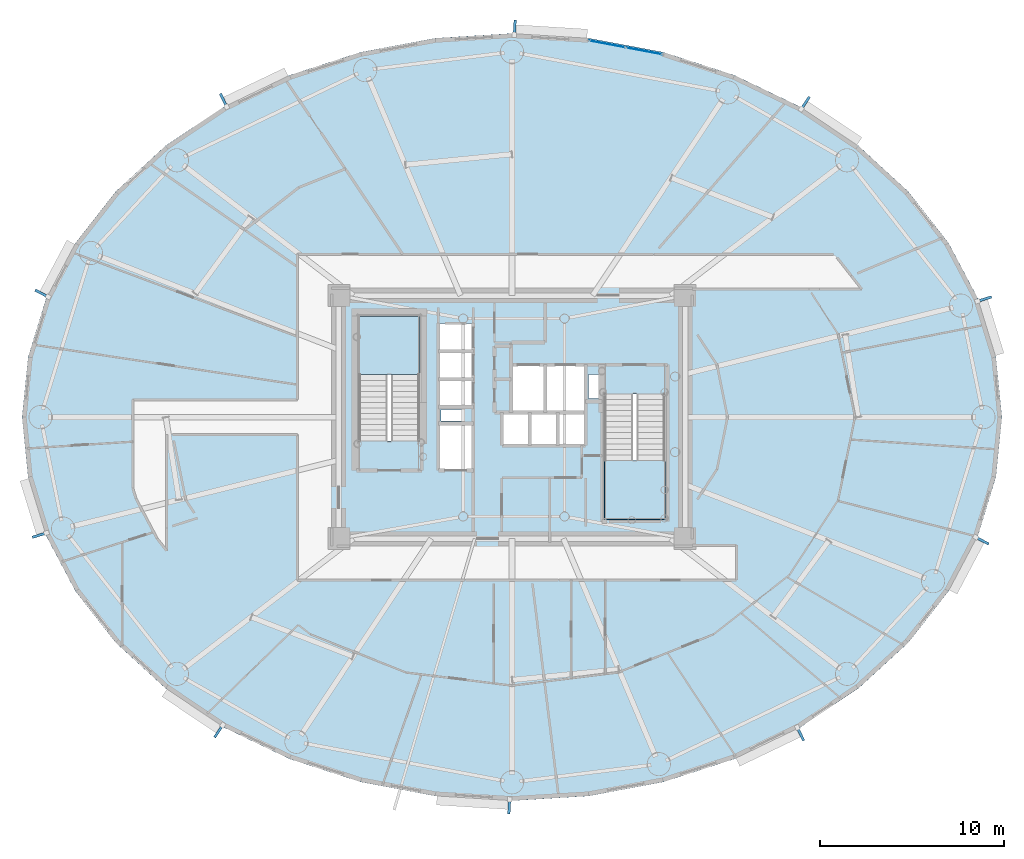
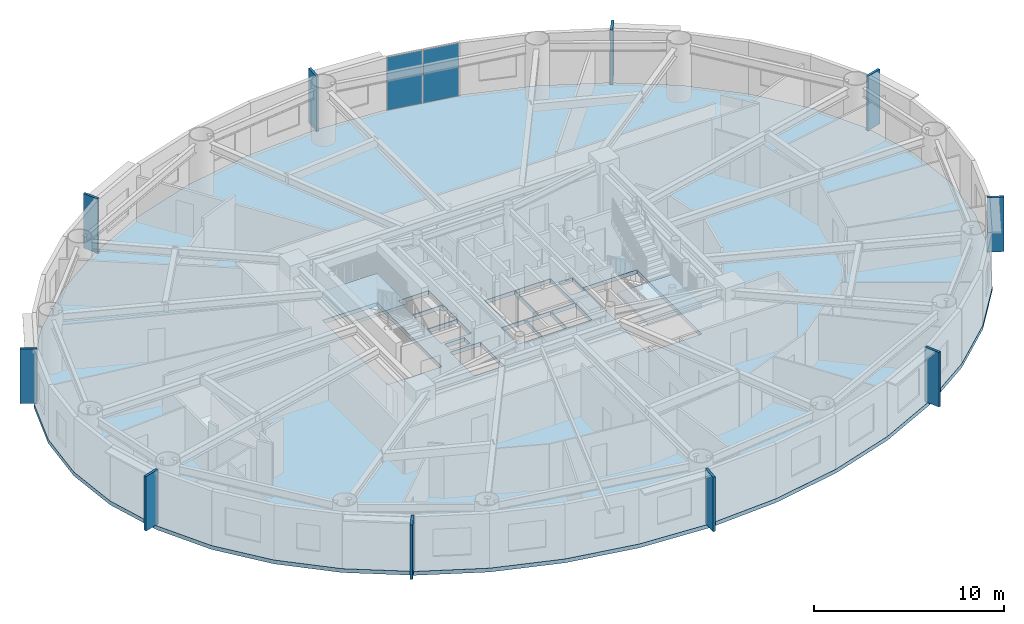
# One storey, part 7 of 21: 12 plates, 3 slabs, 3 elements without a shape of their own.
"""IFC4 building model written with IfcOpenShell, lengths in metres."""

from ifc_helpers import new_model, si_unit, direction, frame, origin, origin_2d, place, context, subcontext, project, spatial, polyline, rectangle, outline, extrude, source, transform, mapped, material, layer, layer_set, type_object, element, aggregate, save


model = new_model("IFC4")

# Units and contexts
model_context = context("Model", 3, precision=1e-05, world=origin(), true_north=direction((0.0, 1.0)))
body_context = subcontext(model_context, "Body", "Model", "MODEL_VIEW")
ifc_project = project(units=[si_unit("LENGTHUNIT", "METRE"), si_unit("AREAUNIT", "SQUARE_METRE"), si_unit("VOLUMEUNIT", "CUBIC_METRE"), si_unit("PLANEANGLEUNIT", "RADIAN"), si_unit("MASSUNIT", "GRAM", prefix="KILO")], contexts=[model_context])

# Site, building, storey
site_placement = place(None, origin())
site = spatial("IfcSite", under=ifc_project, at=site_placement, CompositionType="ELEMENT")
building_placement = place(site_placement, origin())
building = spatial("IfcBuilding", under=site, at=building_placement, Name="Linh Dai School and Residence Tower", CompositionType="ELEMENT")
storey_placement = place(building_placement, frame((0.0, 0.0, 171.14990234375)))
storey = spatial("IfcBuildingStorey", under=building, at=storey_placement, Name="L41", CompositionType="ELEMENT", Elevation=171.14990234375)

# Slab
ifc_material_1 = material(Name="Concrete B45 (C35/45)", Category="concrete")
ifc_layer_1 = layer(ifc_material_1, 0.25)
ifc_layer_set_1 = layer_set([ifc_layer_1], Name="Concrete B45 (C35/45)")
slab_type_1 = type_object("IfcSlabType", Name="SLB-FLR250", PredefinedType="FLOOR", material=ifc_layer_set_1)
slab_1_placement = place(storey_placement, frame((0.0, 0.0, -0.25)))
element("IfcSlab", 1, at=slab_1_placement, inside=storey, type_object=slab_type_1, Name="L41 Composite Structural Floor Slab", PredefinedType="FLOOR", context=body_context, shape_type="SweptSolid", body=[
    extrude(outline(polyline([(62.60009765625, 27.0), (62.2724609375, 30.258544921875), (61.298095703125, 33.436767578125), (59.70068359375, 36.45654296875), (57.519775390625, 39.24365234375), (54.80908203125, 41.72900390625), (51.635009765625, 43.851806640625), (48.076171875, 45.5595703125), (44.219970703125, 46.810546875), (40.1611328125, 47.573486328125), (36.0, 47.830078125), (31.8388671875, 47.573486328125), (27.780029296875, 46.810546875), (23.923828125, 45.5595703125), (20.364990234375, 43.851806640625), (17.19091796875, 41.72900390625), (14.480224609375, 39.24365234375), (12.29931640625, 36.45654296875), (10.701904296875, 33.436767578125), (9.7275390625, 30.258544921875), (9.39990234375, 27.0), (9.7275390625, 23.741455078125), (10.701904296875, 20.563232421875), (12.29931640625, 17.54345703125), (14.480224609375, 14.75634765625), (17.19091796875, 12.27099609375), (20.364990234375, 10.148193359375), (23.923828125, 8.4404296875), (27.780029296875, 7.189453125), (31.8388671875, 6.426513671875), (36.0, 6.169921875), (40.1611328125, 6.426513671875), (44.219970703125, 7.189453125), (48.076171875, 8.4404296875), (51.635009765625, 10.148193359375), (54.80908203125, 12.27099609375), (57.519775390625, 14.75634765625), (59.70068359375, 17.54345703125), (61.298095703125, 20.563232421875), (62.2724609375, 23.741455078125), (62.60009765625, 27.0)]), holes=[polyline([(30.97998046875, 25.699951171875), (30.97998046875, 32.5), (27.679931640625, 32.5), (27.679931640625, 25.699951171875), (30.97998046875, 25.699951171875)]), polyline([(41.02001953125, 28.25), (41.02001953125, 21.449951171875), (44.320068359375, 21.449951171875), (44.320068359375, 28.25), (41.02001953125, 28.25)]), polyline([(35.97998046875, 27.280029296875), (37.77001953125, 27.280029296875), (37.77001953125, 29.820068359375), (35.97998046875, 29.820068359375), (35.97998046875, 27.280029296875)]), polyline([(32.030029296875, 24.1298828125), (33.8701171875, 24.1298828125), (33.8701171875, 26.6201171875), (32.030029296875, 26.6201171875), (32.030029296875, 24.1298828125)]), polyline([(37.830078125, 27.280029296875), (39.969970703125, 27.280029296875), (39.969970703125, 29.820068359375), (37.830078125, 29.820068359375), (37.830078125, 27.280029296875)]), polyline([(32.030029296875, 27.580078125), (33.8701171875, 27.580078125), (33.8701171875, 29.030029296875), (32.030029296875, 29.030029296875), (32.030029296875, 27.580078125)]), polyline([(32.030029296875, 29.090087890625), (33.8701171875, 29.090087890625), (33.8701171875, 30.550048828125), (32.030029296875, 30.550048828125), (32.030029296875, 29.090087890625)]), polyline([(32.030029296875, 30.610107421875), (33.8701171875, 30.610107421875), (33.8701171875, 32.070068359375), (32.030029296875, 32.070068359375), (32.030029296875, 30.610107421875)]), polyline([(35.47998046875, 25.47998046875), (36.929931640625, 25.47998046875), (36.929931640625, 27.219970703125), (35.47998046875, 27.219970703125), (35.47998046875, 25.47998046875)]), polyline([(36.989990234375, 25.47998046875), (38.449951171875, 25.47998046875), (38.449951171875, 27.219970703125), (36.989990234375, 27.219970703125), (36.989990234375, 25.47998046875)]), polyline([(38.510009765625, 25.47998046875), (39.969970703125, 25.47998046875), (39.969970703125, 27.219970703125), (38.510009765625, 27.219970703125), (38.510009765625, 25.47998046875)]), polyline([(40.14990234375, 28.0), (40.14990234375, 29.300048828125), (41.0, 29.300048828125), (41.0, 28.280029296875), (40.989990234375, 28.280029296875), (40.989990234375, 28.0), (40.14990234375, 28.0)]), polyline([(32.14990234375, 26.800048828125), (33.35009765625, 26.800048828125), (33.35009765625, 27.39990234375), (32.14990234375, 27.39990234375), (32.14990234375, 26.800048828125)])]), origin(), (0.0, 0.0, 1.0), 0.25),
])

# Stair, slab
stair_type = type_object("IfcStairType", Name="ST-DOG-1550-R1442", PredefinedType="HALF_TURN_STAIR", material=ifc_material_1)
stair_1_placement = place(storey_placement, origin())
stair_1 = element("IfcStair", 2, at=stair_1_placement, inside=storey, type_object=stair_type, Name="L41 Core Smokeproof Exit Stair ST1", PredefinedType="HALF_TURN_STAIR")
ifc_layer_2 = layer(ifc_material_1, 0.199951171875)
ifc_layer_set_2 = layer_set([ifc_layer_2], Name="Concrete B45 (C35/45)")
slab_type_2 = type_object("IfcSlabType", Name="SLB-ST-LANDING-200", PredefinedType="LANDING", material=ifc_layer_set_2)
slab_2_placement = place(storey_placement, frame((0.0, 0.0, 1.675048828125)))
slab_2 = element("IfcSlab", 3, at=slab_2_placement, type_object=slab_type_2, Name="ST1 landing 1", PredefinedType="LANDING", context=body_context, shape_type="SweptSolid", body=[
    extrude(outline(polyline([(30.97998046875, 29.300048828125), (30.97998046875, 32.5), (27.679931640625, 32.5), (27.679931640625, 29.300048828125), (30.97998046875, 29.300048828125)])), origin(), (0.0, 0.0, 1.0), 0.199951171875),
])
aggregate(stair_1, [slab_2])

stair_2_placement = place(storey_placement, origin())
stair_2 = element("IfcStair", 4, at=stair_2_placement, inside=storey, type_object=stair_type, Name="L41 Core Smokeproof Exit Stair ST2", PredefinedType="HALF_TURN_STAIR")
slab_3_placement = place(storey_placement, frame((0.0, 0.0, 1.675048828125)))
slab_3 = element("IfcSlab", 5, at=slab_3_placement, type_object=slab_type_2, Name="ST2 landing 1", PredefinedType="LANDING", context=body_context, shape_type="SweptSolid", body=[
    extrude(outline(polyline([(41.02001953125, 24.64990234375), (41.02001953125, 21.449951171875), (44.320068359375, 21.449951171875), (44.320068359375, 24.64990234375), (41.02001953125, 24.64990234375)])), origin(), (0.0, 0.0, 1.0), 0.199951171875),
])
aggregate(stair_2, [slab_3])

# Plates
ifc_material_2 = material(Name="Precast Concrete B45 (C35/45)", Category="concrete")
ifc_layer_3 = layer(ifc_material_2, 0.139892578125)
ifc_layer_set_3 = layer_set([ifc_layer_3], Name="Precast Concrete B45 (C35/45)")
plate_type_1 = type_object("IfcPlateType", Name="FIN-TC-900x140", PredefinedType="USERDEFINED", material=ifc_layer_set_3)
shared_shape_1 = source(origin(), body_context, "Body", "SweptSolid", [
    extrude(rectangle(XDim=0.89990234375, YDim=0.139892578125, at=origin_2d()), origin(), (0.0, 0.0, 1.0), 3.5),
])
for number, where, z_axis, x_axis, name in (
    (6, (61.60986328125, 33.394287109375, 0.0), (0.0, 0.0, 1.0), (0.956075055167, 0.293121969301, 0.0), "L41 Precast Terracotta Radial Fin 02"),
    (7, (51.90087890625, 44.017333984375, 0.0), (0.0, 0.0, 1.0), (0.555931154932, 0.831228338651, 0.0), "L41 Precast Terracotta Radial Fin 06"),
    (8, (36.14501953125, 48.10693359375, 0.0), (0.0, 0.0, 1.0), (0.061512376467, 0.99810632076, 0.0), "L41 Precast Terracotta Radial Fin 10"),
    (9, (20.357421875, 44.164794921875, 0.0), (0.0, 0.0, 1.0), (-0.432634701653, 0.901569306779, 0.0), "L41 Precast Terracotta Radial Fin 14"),
    (10, (10.510986328125, 33.686767578125, 0.0), (0.0, 0.0, 1.0), (-0.883950726378, 0.467580060884, 0.0), "L41 Precast Terracotta Radial Fin 18"),
    (11, (10.39013671875, 20.605712890625, 0.0), (0.0, 0.0, 1.0), (-0.956075055167, -0.293121969301, 0.0), "L41 Precast Terracotta Radial Fin 22"),
    (12, (20.09912109375, 9.982666015625, 0.0), (0.0, 0.0, 1.0), (-0.555931154932, -0.831228338651, 0.0), "L41 Precast Terracotta Radial Fin 26"),
    (13, (35.85498046875, 5.89306640625, 0.0), (0.0, 0.0, 1.0), (-0.061512376467, -0.99810632076, 0.0), "L41 Precast Terracotta Radial Fin 30"),
    (14, (51.642578125, 9.835205078125, 0.0), (0.0, 0.0, 1.0), (0.432634701653, -0.901569306779, 0.0), "L41 Precast Terracotta Radial Fin 34"),
    (15, (61.489013671875, 20.313232421875, 0.0), (0.0, 0.0, 1.0), (0.883950726378, -0.467580060884, 0.0), "L41 Precast Terracotta Radial Fin 38"),
):
    element("IfcPlate", number, at=place(storey_placement, frame(where, z_axis=z_axis, x_axis=x_axis)), inside=storey, type_object=plate_type_1, Name=name, ObjectType="RADIAL FIN", PredefinedType="USERDEFINED", context=body_context, shape_type="MappedRepresentation", body=[
        mapped(shared_shape_1, transform((0.0, 0.0, 0.0), x_axis=(1.0, 0.0, 0.0), y_axis=(0.0, 1.0, 0.0), z_axis=(0.0, 0.0, 1.0), scale=1.0)),
    ])

# Curtain wall, plates
ifc_material_3 = material(Name="Aluminium Anodised Curtain Wall", Category="aluminium")
ifc_layer_4 = layer(ifc_material_3, 0.14990234375)
ifc_layer_set_4 = layer_set([ifc_layer_4], Name="Aluminium Anodised Curtain Wall")
curtain_wall_type = type_object("IfcCurtainWallType", Name="CW-SYS-4", PredefinedType="USERDEFINED", material=ifc_layer_set_4)
curtain_wall_placement = place(storey_placement, origin())
curtain_wall = element("IfcCurtainWall", 16, at=curtain_wall_placement, inside=storey, type_object=curtain_wall_type, Name="L41 CW4 Curtain Wall 09", ObjectType="RIBBON CURTAIN WALL", PredefinedType="USERDEFINED")
ifc_material_4 = material(Name="Double Low-E Insulated Glazing", Category="glass")
ifc_layer_5 = layer(ifc_material_4, 0.02587890625)
ifc_layer_set_5 = layer_set([ifc_layer_5], Name="Double Low-E Insulated Glazing")
plate_type_2 = type_object("IfcPlateType", Name="CW-SYS-4-PAN", PredefinedType="CURTAIN_PANEL", material=ifc_layer_set_5)
shared_shape_2 = source(origin(), body_context, "Body", "SweptSolid", [
    extrude(rectangle(XDim=1.97900390625, YDim=0.02587890625, at=origin_2d()), origin(), (0.0, 0.0, 1.0), 3.39599609375),
])
plate_1_placement = place(storey_placement, frame((41.16943359375, 47.257080078125, 0.052001953125), z_axis=(0.0, 0.0, 1.0), x_axis=(0.982783192645, -0.184762540184, 0.0)))
plate_1 = element("IfcPlate", 17, at=plate_1_placement, type_object=plate_type_2, Name="CW4 panel 1.1", PredefinedType="CURTAIN_PANEL", context=body_context, shape_type="MappedRepresentation", body=[
    mapped(shared_shape_2, transform((0.0, 0.0, 0.0), x_axis=(1.0, 0.0, 0.0), y_axis=(0.0, 1.0, 0.0), z_axis=(0.0, 0.0, 1.0), scale=1.0)),
])
plate_2_placement = place(storey_placement, frame((43.16552734375, 46.8818359375, 0.052001953125), z_axis=(0.0, 0.0, 1.0), x_axis=(0.982783192645, -0.184762540184, 0.0)))
plate_2 = element("IfcPlate", 18, at=plate_2_placement, type_object=plate_type_2, Name="CW4 panel 2.1", PredefinedType="CURTAIN_PANEL", context=body_context, shape_type="MappedRepresentation", body=[
    mapped(shared_shape_2, transform((0.0, 0.0, 0.0), x_axis=(1.0, 0.0, 0.0), y_axis=(0.0, 1.0, 0.0), z_axis=(0.0, 0.0, 1.0), scale=1.0)),
])
aggregate(curtain_wall, [plate_1, plate_2])

save(model, "model.ifc")
